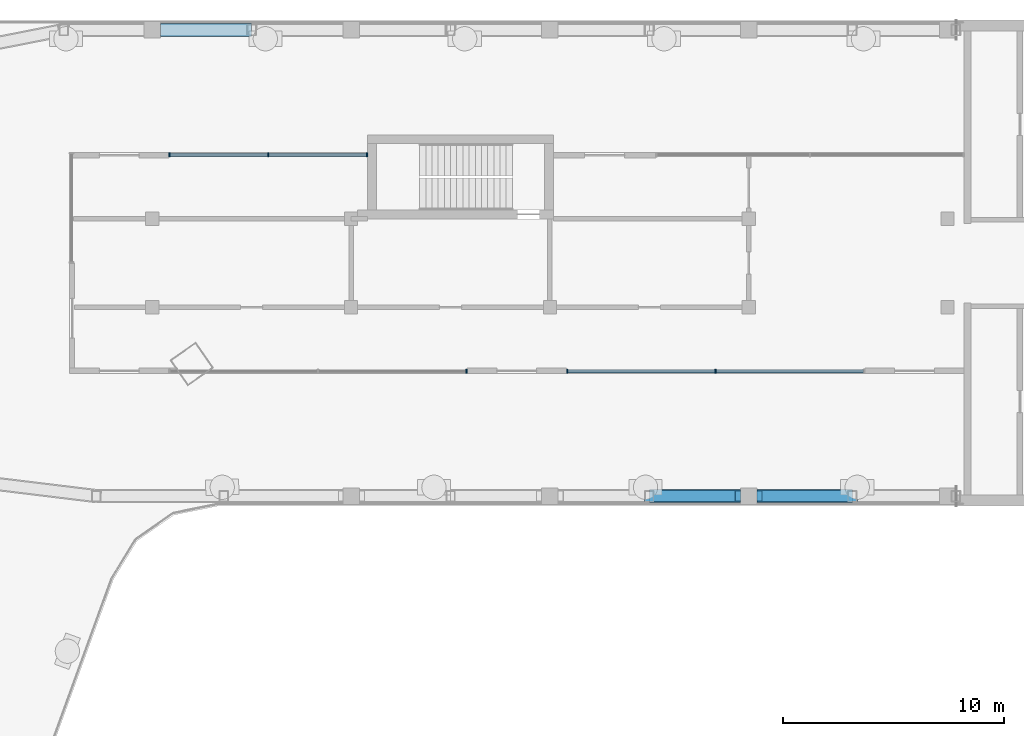
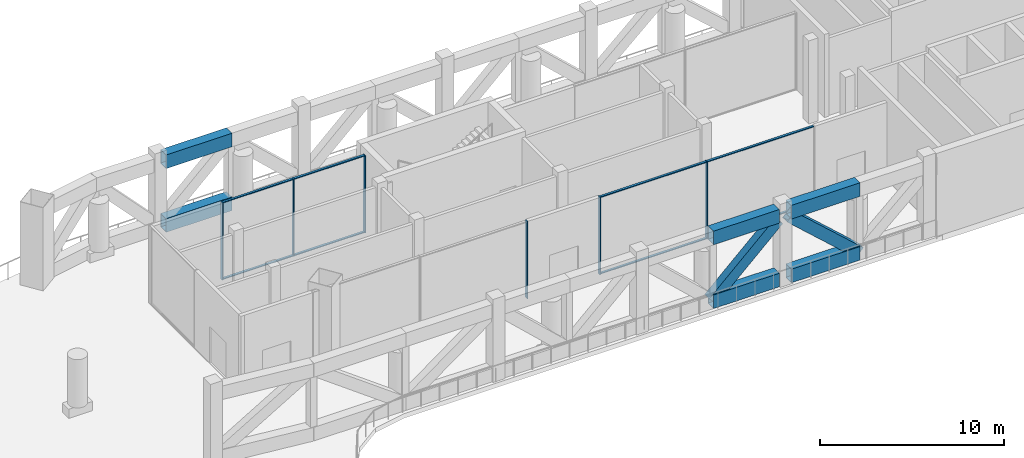
# One storey, part 3 of 14: 22 members, 3 elements without a shape of their own.
"""IFC4 building model written with IfcOpenShell, lengths in metres."""

from ifc_helpers import new_model, si_unit, direction, frame, origin, origin_2d, place, context, subcontext, project, spatial, rectangle, hollow_rectangle, extrude, material, material_profile, profile_set, type_object, element, aggregate, save


model = new_model("IFC4")

# Units and contexts
model_context = context("Model", 3, precision=1e-05, world=origin(), true_north=direction((0.0, 1.0)))
body_context = subcontext(model_context, "Body", "Model", "MODEL_VIEW")
ifc_project = project(units=[si_unit("LENGTHUNIT", "METRE"), si_unit("AREAUNIT", "SQUARE_METRE"), si_unit("VOLUMEUNIT", "CUBIC_METRE"), si_unit("PLANEANGLEUNIT", "RADIAN"), si_unit("MASSUNIT", "GRAM", prefix="KILO")], contexts=[model_context])

# Site, building, storey
site_placement = place(None, origin())
site = spatial("IfcSite", under=ifc_project, at=site_placement, CompositionType="ELEMENT")
building_placement = place(site_placement, origin())
building = spatial("IfcBuilding", under=site, at=building_placement, Name="Skarvind Civic Tower", CompositionType="ELEMENT")
storey_placement = place(building_placement, frame((0.0, 0.0, 236.0)))
storey = spatial("IfcBuildingStorey", under=building, at=storey_placement, Name="L56", CompositionType="ELEMENT", Elevation=236.0)

# Curtain wall, members
ifc_material_1 = material(Name="Aluminium alloy 6063 and laminated glass", Category="aluminium")
curtain_wall_type = type_object("IfcCurtainWallType", Name="CW3 SEPARATOR INNER GLAZING", PredefinedType="NOTDEFINED", material=ifc_material_1)
curtain_wall_1_placement = place(storey_placement, origin())
curtain_wall_1 = element("IfcCurtainWall", 1, at=curtain_wall_1_placement, inside=storey, type_object=curtain_wall_type, Name="SEPARATOR INNER GLAZING", PredefinedType="NOTDEFINED")
ifc_material_2 = material(Name="Aluminium alloy 6063", Category="aluminium")
ifc_material_profile_1 = material_profile(ifc_material_2, rectangle(XDim=0.199951171875, YDim=0.06005859375, at=origin_2d()), Name="AL 60x200")
ifc_profile_set_1 = profile_set([ifc_material_profile_1], Name="Aluminium alloy 6063")
member_type_1 = type_object("IfcMemberType", Name="CW3 MULLION 60x200", PredefinedType="MULLION", material=ifc_profile_set_1)
member_1_placement = place(storey_placement, frame((55.030029296875, 132.89990234375, 0.0), z_axis=(0.0, 0.0, 1.0), x_axis=(0.0, 1.0, 0.0)))
member_1 = element("IfcMember", 2, at=member_1_placement, type_object=member_type_1, Name="CW3 mullion 1", PredefinedType="MULLION", context=body_context, shape_type="SweptSolid", body=[
    extrude(rectangle(XDim=0.199951171875, YDim=0.06005859375, at=origin_2d()), origin(), (0.0, 0.0, 1.0), 5.125),
])
member_2_placement = place(storey_placement, frame((59.5, 132.89990234375, 0.0), z_axis=(0.0, 0.0, 1.0), x_axis=(0.0, 1.0, 0.0)))
member_2 = element("IfcMember", 3, at=member_2_placement, type_object=member_type_1, Name="CW3 mullion 2", PredefinedType="MULLION", context=body_context, shape_type="SweptSolid", body=[
    extrude(rectangle(XDim=0.199951171875, YDim=0.06005859375, at=origin_2d()), origin(), (0.0, 0.0, 1.0), 5.125),
])
member_3_placement = place(storey_placement, frame((63.969970703125, 132.89990234375, 0.0), z_axis=(0.0, 0.0, 1.0), x_axis=(0.0, 1.0, 0.0)))
member_3 = element("IfcMember", 4, at=member_3_placement, type_object=member_type_1, Name="CW3 mullion 3", PredefinedType="MULLION", context=body_context, shape_type="SweptSolid", body=[
    extrude(rectangle(XDim=0.199951171875, YDim=0.06005859375, at=origin_2d()), origin(), (0.0, 0.0, 1.0), 5.125),
])

curtain_wall_2_placement = place(storey_placement, origin())
curtain_wall_2 = element("IfcCurtainWall", 5, at=curtain_wall_2_placement, inside=storey, type_object=curtain_wall_type, Name="SEPARATOR INNER GLAZING", PredefinedType="NOTDEFINED")
member_4_placement = place(storey_placement, frame((79.75, 123.10009765625, 0.0), z_axis=(0.0, 0.0, 1.0), x_axis=(0.0, -1.0, 0.0)))
member_4 = element("IfcMember", 6, at=member_4_placement, type_object=member_type_1, Name="CW3 mullion 2", PredefinedType="MULLION", context=body_context, shape_type="SweptSolid", body=[
    extrude(rectangle(XDim=0.199951171875, YDim=0.06005859375, at=origin_2d()), origin(), (0.0, 0.0, 1.0), 5.125),
])
member_5_placement = place(storey_placement, frame((73.030029296875, 123.10009765625, 0.0), z_axis=(0.0, 0.0, 1.0), x_axis=(0.0, -1.0, 0.0)))
member_5 = element("IfcMember", 7, at=member_5_placement, type_object=member_type_1, Name="CW3 mullion 3", PredefinedType="MULLION", context=body_context, shape_type="SweptSolid", body=[
    extrude(rectangle(XDim=0.199951171875, YDim=0.06005859375, at=origin_2d()), origin(), (0.0, 0.0, 1.0), 5.125),
])

# Curtain wall, member
curtain_wall_3_placement = place(storey_placement, origin())
curtain_wall_3 = element("IfcCurtainWall", 8, at=curtain_wall_3_placement, inside=storey, type_object=curtain_wall_type, Name="SEPARATOR INNER GLAZING", PredefinedType="NOTDEFINED")
member_6_placement = place(storey_placement, frame((68.469970703125, 123.10009765625, 0.0), z_axis=(0.0, 0.0, 1.0), x_axis=(0.0, -1.0, 0.0)))
member_6 = element("IfcMember", 9, at=member_6_placement, type_object=member_type_1, Name="CW3 mullion 1", PredefinedType="MULLION", context=body_context, shape_type="SweptSolid", body=[
    extrude(rectangle(XDim=0.199951171875, YDim=0.06005859375, at=origin_2d()), origin(), (0.0, 0.0, 1.0), 5.125),
])
aggregate(curtain_wall_3, [member_6])

# Member
ifc_material_profile_2 = material_profile(ifc_material_2, rectangle(XDim=0.139892578125, YDim=0.06005859375, at=origin_2d()), Name="AL 60x140")
ifc_profile_set_2 = profile_set([ifc_material_profile_2], Name="Aluminium alloy 6063")
member_type_2 = type_object("IfcMemberType", Name="CW3 TRANSOM 60x140", PredefinedType="USERDEFINED", material=ifc_profile_set_2)
member_7_placement = place(storey_placement, frame((55.06005859375, 132.89990234375, 0.030029296875), z_axis=(1.0, 0.0, 0.0), x_axis=(0.0, 1.0, 0.0)))
member_7 = element("IfcMember", 10, at=member_7_placement, type_object=member_type_2, Name="CW3 transom 1.1", ObjectType="TRANSOM", PredefinedType="USERDEFINED", context=body_context, shape_type="SweptSolid", body=[
    extrude(rectangle(XDim=0.139892578125, YDim=0.06005859375, at=origin_2d()), origin(), (0.0, 0.0, 1.0), 4.409912109375),
])

member_8_placement = place(storey_placement, frame((55.06005859375, 132.89990234375, 5.094970703125), z_axis=(1.0, 0.0, 0.0), x_axis=(0.0, 1.0, 0.0)))
member_8 = element("IfcMember", 11, at=member_8_placement, type_object=member_type_2, Name="CW3 transom 1.2", ObjectType="TRANSOM", PredefinedType="USERDEFINED", context=body_context, shape_type="SweptSolid", body=[
    extrude(rectangle(XDim=0.139892578125, YDim=0.06005859375, at=origin_2d()), origin(), (0.0, 0.0, 1.0), 4.409912109375),
])

member_9_placement = place(storey_placement, frame((59.530029296875, 132.89990234375, 0.030029296875), z_axis=(1.0, 0.0, 0.0), x_axis=(0.0, 1.0, 0.0)))
member_9 = element("IfcMember", 12, at=member_9_placement, type_object=member_type_2, Name="CW3 transom 2.1", ObjectType="TRANSOM", PredefinedType="USERDEFINED", context=body_context, shape_type="SweptSolid", body=[
    extrude(rectangle(XDim=0.139892578125, YDim=0.06005859375, at=origin_2d()), origin(), (0.0, 0.0, 1.0), 4.409912109375),
])

member_10_placement = place(storey_placement, frame((59.530029296875, 132.89990234375, 5.094970703125), z_axis=(1.0, 0.0, 0.0), x_axis=(0.0, 1.0, 0.0)))
member_10 = element("IfcMember", 13, at=member_10_placement, type_object=member_type_2, Name="CW3 transom 2.2", ObjectType="TRANSOM", PredefinedType="USERDEFINED", context=body_context, shape_type="SweptSolid", body=[
    extrude(rectangle(XDim=0.139892578125, YDim=0.06005859375, at=origin_2d()), origin(), (0.0, 0.0, 1.0), 4.409912109375),
])

aggregate(curtain_wall_1, [member_1, member_2, member_3, member_7, member_8, member_9, member_10])

member_11_placement = place(storey_placement, frame((86.43994140625, 123.10009765625, 0.030029296875), z_axis=(-1.0, 0.0, 0.0), x_axis=(0.0, -1.0, 0.0)))
member_11 = element("IfcMember", 14, at=member_11_placement, type_object=member_type_2, Name="CW3 transom 1.1", ObjectType="TRANSOM", PredefinedType="USERDEFINED", context=body_context, shape_type="SweptSolid", body=[
    extrude(rectangle(XDim=0.139892578125, YDim=0.06005859375, at=origin_2d()), origin(), (0.0, 0.0, 1.0), 6.659912109375),
])

member_12_placement = place(storey_placement, frame((86.43994140625, 123.10009765625, 5.094970703125), z_axis=(-1.0, 0.0, 0.0), x_axis=(0.0, -1.0, 0.0)))
member_12 = element("IfcMember", 15, at=member_12_placement, type_object=member_type_2, Name="CW3 transom 1.2", ObjectType="TRANSOM", PredefinedType="USERDEFINED", context=body_context, shape_type="SweptSolid", body=[
    extrude(rectangle(XDim=0.139892578125, YDim=0.06005859375, at=origin_2d()), origin(), (0.0, 0.0, 1.0), 6.659912109375),
])

member_13_placement = place(storey_placement, frame((79.719970703125, 123.10009765625, 0.030029296875), z_axis=(-1.0, 0.0, 0.0), x_axis=(0.0, -1.0, 0.0)))
member_13 = element("IfcMember", 16, at=member_13_placement, type_object=member_type_2, Name="CW3 transom 2.1", ObjectType="TRANSOM", PredefinedType="USERDEFINED", context=body_context, shape_type="SweptSolid", body=[
    extrude(rectangle(XDim=0.139892578125, YDim=0.06005859375, at=origin_2d()), origin(), (0.0, 0.0, 1.0), 6.659912109375),
])

member_14_placement = place(storey_placement, frame((79.719970703125, 123.10009765625, 5.094970703125), z_axis=(-1.0, 0.0, 0.0), x_axis=(0.0, -1.0, 0.0)))
member_14 = element("IfcMember", 17, at=member_14_placement, type_object=member_type_2, Name="CW3 transom 2.2", ObjectType="TRANSOM", PredefinedType="USERDEFINED", context=body_context, shape_type="SweptSolid", body=[
    extrude(rectangle(XDim=0.139892578125, YDim=0.06005859375, at=origin_2d()), origin(), (0.0, 0.0, 1.0), 6.659912109375),
])

aggregate(curtain_wall_2, [member_4, member_5, member_11, member_12, member_13, member_14])

# Members
ifc_material_3 = material(Name="Steel SM355", Category="steel")
ifc_material_profile_3 = material_profile(ifc_material_3, hollow_rectangle(XDim=0.60009765625, YDim=0.89990234375, WallThickness=0.031982421875, at=origin_2d()), Name="BOX-900x600x32")
ifc_profile_set_3 = profile_set([ifc_material_profile_3], Name="Steel SM355")
member_type_3 = type_object("IfcMemberType", Name="Truss chord BOX-900x600x32 SM355", PredefinedType="CHORD", material=ifc_profile_set_3)
for number, where, z_axis, x_axis, name in (
    (18, (54.625, 138.550048828125, 0.449951171875), (1.0, 0.0, 0.0), (0.0, 1.0, 0.0), "Outrigger truss L56 W1N chord"),
    (19, (54.625, 138.550048828125, 4.675048828125), (1.0, 0.0, 0.0), (0.0, 1.0, 0.0), "Outrigger truss L56 W1N chord"),
    (20, (76.75, 117.449951171875, 0.449951171875), (1.0, 0.0, 0.0), (0.0, 1.0, 0.0), "Outrigger truss L56 W1S chord"),
    (21, (76.75, 117.449951171875, 4.675048828125), (1.0, 0.0, 0.0), (0.0, 1.0, 0.0), "Outrigger truss L56 W1S chord"),
):
    element("IfcMember", number, at=place(storey_placement, frame(where, z_axis=z_axis, x_axis=x_axis)), inside=storey, type_object=member_type_3, Name=name, PredefinedType="CHORD", context=body_context, shape_type="SweptSolid", body=[
        extrude(hollow_rectangle(XDim=0.60009765625, YDim=0.89990234375, WallThickness=0.031982421875, at=origin_2d()), origin(), (0.0, 0.0, 1.0), 4.125),
    ])
for number, where, z_axis, x_axis, name in (
    (22, (81.625, 117.449951171875, 0.449951171875), (1.0, 0.0, 0.0), (0.0, 1.0, 0.0), "Outrigger truss L56 W1S chord"),
    (23, (81.625, 117.449951171875, 4.675048828125), (1.0, 0.0, 0.0), (0.0, 1.0, 0.0), "Outrigger truss L56 W1S chord"),
):
    element("IfcMember", number, at=place(storey_placement, frame(where, z_axis=z_axis, x_axis=x_axis)), inside=storey, type_object=member_type_3, Name=name, PredefinedType="CHORD", context=body_context, shape_type="SweptSolid", body=[
        extrude(hollow_rectangle(XDim=0.60009765625, YDim=0.89990234375, WallThickness=0.031982421875, at=origin_2d()), origin(), (0.0, 0.0, 1.0), 4.3125),
    ])
ifc_material_profile_4 = material_profile(ifc_material_3, hollow_rectangle(XDim=0.5, YDim=0.699951171875, WallThickness=0.02197265625, at=origin_2d()), Name="BOX-700x500x22")
ifc_profile_set_4 = profile_set([ifc_material_profile_4], Name="Steel SM355")
member_type_4 = type_object("IfcMemberType", Name="Truss diagonal BOX-700x500x22 SM355", PredefinedType="BRACE", material=ifc_profile_set_4)
member_15_placement = place(storey_placement, frame((76.75, 117.449951171875, 0.449951171875), z_axis=(0.729020302301, 0.0, 0.684492073609), x_axis=(0.0, 1.0, 0.0)))
element("IfcMember", 24, at=member_15_placement, inside=storey, type_object=member_type_4, Name="Outrigger truss L56 W1S diagonal", PredefinedType="BRACE", context=body_context, shape_type="SweptSolid", body=[
    extrude(hollow_rectangle(XDim=0.5, YDim=0.699951171875, WallThickness=0.02197265625, at=origin_2d()), origin(), (0.0, 0.0, 1.0), 5.658203125),
])
member_16_placement = place(storey_placement, frame((81.625, 117.449951171875, 4.3369140625), z_axis=(0.742804658539, 0.0, -0.669508207009), x_axis=(0.0, 1.0, 0.0)))
element("IfcMember", 25, at=member_16_placement, inside=storey, type_object=member_type_4, Name="Outrigger truss L56 W1S diagonal", PredefinedType="BRACE", context=body_context, shape_type="SweptSolid", body=[
    extrude(hollow_rectangle(XDim=0.5, YDim=0.699951171875, WallThickness=0.02197265625, at=origin_2d()), origin(), (0.0, 0.0, 1.0), 5.8056640625),
])

save(model, "model.ifc")
